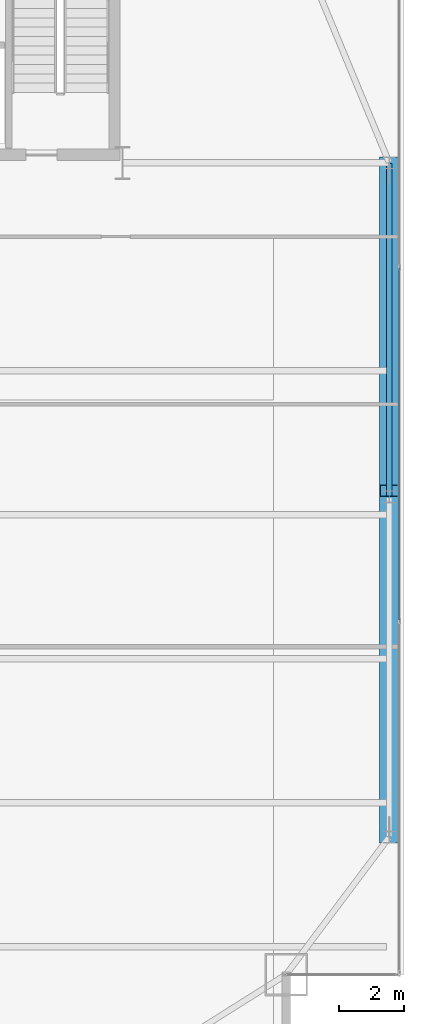
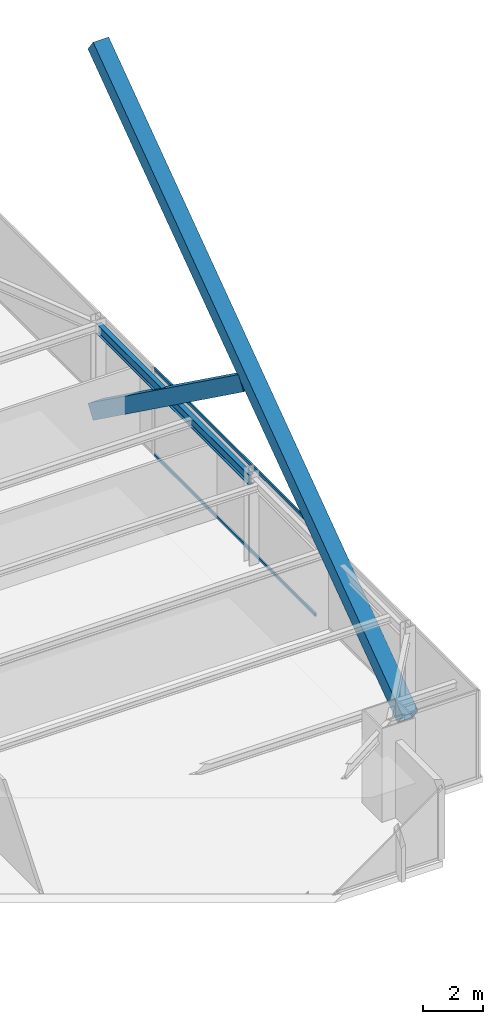
# One storey, part 19 of 34: 4 members, 1 beam, 1 element without a shape of its own.
"""IFC4 building model written with IfcOpenShell, lengths in metres."""

from ifc_helpers import new_model, si_unit, direction, frame, origin, origin_2d, place, context, subcontext, project, spatial, hollow_rectangle, i_section, extrude, source, transform, mapped, material, layer, layer_set, material_profile, profile_set, type_object, type_shapes, element, aggregate, save


model = new_model("IFC4")

# Units and contexts
model_context = context("Model", 3, precision=1e-05, world=origin(), true_north=direction((0.0, 1.0)))
body_context = subcontext(model_context, "Body", "Model", "MODEL_VIEW")
ifc_project = project(units=[si_unit("LENGTHUNIT", "METRE"), si_unit("AREAUNIT", "SQUARE_METRE"), si_unit("VOLUMEUNIT", "CUBIC_METRE"), si_unit("PLANEANGLEUNIT", "RADIAN"), si_unit("MASSUNIT", "GRAM", prefix="KILO")], contexts=[model_context])

# Site, building, storey
site_placement = place(None, origin())
site = spatial("IfcSite", under=ifc_project, at=site_placement, CompositionType="ELEMENT")
building_placement = place(site_placement, origin())
building = spatial("IfcBuilding", under=site, at=building_placement, Name="Varnel Quay Broadcast Tower", CompositionType="ELEMENT")
storey_placement = place(building_placement, frame((0.0, 0.0, 176.199951171875)))
storey = spatial("IfcBuildingStorey", under=building, at=storey_placement, Name="L43", CompositionType="ELEMENT", Elevation=176.199951171875)

# Beam
ifc_material_1 = material(Name="Structural Steel CSA G40.21 350W", Category="steel")
ifc_material_profile_1 = material_profile(ifc_material_1, i_section(OverallWidth=0.180908203125, OverallDepth=0.4169921875, WebThickness=0.010986328125, FlangeThickness=0.018310546875, FilletRadius=0.011962890625, at=origin_2d()), Name="W410X85")
ifc_profile_set_1 = profile_set([ifc_material_profile_1], Name="Structural Steel CSA G40.21 350W")
beam_type = type_object("IfcBeamType", Name="Beam_W410X85", PredefinedType="SPANDREL", material=ifc_profile_set_1)
shared_shape_1 = source(origin(), body_context, "Body", "SweptSolid", [
    extrude(i_section(OverallWidth=0.180908203125, OverallDepth=0.4169921875, WebThickness=0.010986328125, FlangeThickness=0.018310546875, FilletRadius=0.011962890625, at=origin_2d()), origin(), (0.0, 0.0, 1.0), 10.16015625),
])
type_shapes(beam_type, [shared_shape_1])
beam_placement = place(storey_placement, frame((60.550048828125, 25.419921875, 3.341552734375), z_axis=(0.0, 1.0, 0.0), x_axis=(-1.0, 0.0, 0.0)))
element("IfcBeam", 1, at=beam_placement, inside=storey, type_object=beam_type, Name="L43 East Spandrel TC-E2-TC-E3", PredefinedType="SPANDREL", context=body_context, shape_type="MappedRepresentation", body=[
    mapped(shared_shape_1, transform((0.0, 0.0, 0.0), x_axis=(1.0, 0.0, 0.0), y_axis=(0.0, 1.0, 0.0), z_axis=(0.0, 0.0, 1.0), scale=1.0)),
])

# Members
ifc_material_2 = material(Name="Structural Steel CSA G40.21 350WT", Category="steel")
ifc_material_profile_2 = material_profile(ifc_material_2, hollow_rectangle(XDim=0.60009765625, YDim=0.60009765625, WallThickness=0.028076171875, at=origin_2d()), Name="BOX600X600X28")
ifc_profile_set_2 = profile_set([ifc_material_profile_2], Name="Structural Steel CSA G40.21 350WT")
member_type_1 = type_object("IfcMemberType", Name="Brace_BOX600X600X28", PredefinedType="BRACE", material=ifc_profile_set_2)
shared_shape_2 = source(origin(), body_context, "Body", "SweptSolid", [
    extrude(hollow_rectangle(XDim=0.60009765625, YDim=0.60009765625, WallThickness=0.028076171875, at=origin_2d()), origin(), (0.0, 0.0, 1.0), 25.412353515625),
])
member_1_placement = place(storey_placement, frame((60.550048828125, 15.0, 0.02001953125), z_axis=(0.0, 0.810636666149, 0.585549481679), x_axis=(-1.0, 0.0, 0.0)))
element("IfcMember", 2, at=member_1_placement, inside=storey, type_object=member_type_1, Name="Zone 3 Mega-Brace E-FT3 Continuous Diag A", PredefinedType="BRACE", context=body_context, shape_type="MappedRepresentation", body=[
    mapped(shared_shape_2, transform((0.0, 0.0, 0.0), x_axis=(1.0, 0.0, 0.0), y_axis=(0.0, 1.0, 0.0), z_axis=(0.0, 0.0, 1.0), scale=1.0)),
])
shared_shape_3 = source(origin(), body_context, "Body", "SweptSolid", [
    extrude(hollow_rectangle(XDim=0.60009765625, YDim=0.60009765625, WallThickness=0.028076171875, at=origin_2d()), origin(), (0.0, 0.0, 1.0), 12.364990234375),
])
type_shapes(member_type_1, [shared_shape_2, shared_shape_3])
member_2_placement = place(storey_placement, frame((60.550048828125, 35.60009765625, 0.02001953125), z_axis=(0.0, -0.810644343917, 0.585538852405), x_axis=(1.0, 0.0, 0.0)))
element("IfcMember", 3, at=member_2_placement, inside=storey, type_object=member_type_1, Name="Zone 3 Mega-Brace E-FT3 Split Diag B1", PredefinedType="BRACE", context=body_context, shape_type="MappedRepresentation", body=[
    mapped(shared_shape_3, transform((0.0, 0.0, 0.0), x_axis=(1.0, 0.0, 0.0), y_axis=(0.0, 1.0, 0.0), z_axis=(0.0, 0.0, 1.0), scale=1.0)),
])

# Curtain wall, members
ifc_material_3 = material(Name="Anodised Bronze Aluminium 6063-T6", Category="aluminium")
ifc_layer = layer(ifc_material_3, 0.18994140625, Name="Anodised Bronze Aluminium 6063-T6")
ifc_layer_set = layer_set([ifc_layer], Name="Anodised Bronze Aluminium 6063-T6")
curtain_wall_type = type_object("IfcCurtainWallType", Name="CW_UpperTower", PredefinedType="NOTDEFINED", material=ifc_layer_set)
curtain_wall_placement = place(storey_placement, origin())
curtain_wall = element("IfcCurtainWall", 4, at=curtain_wall_placement, inside=storey, type_object=curtain_wall_type, Name="L43 East Unitised Curtain Wall", PredefinedType="NOTDEFINED")
ifc_material_profile_3 = material_profile(ifc_material_3, hollow_rectangle(XDim=0.06005859375, YDim=0.125, WallThickness=0.0029296875, at=origin_2d()), Name="ALU60X125X3")
ifc_profile_set_3 = profile_set([ifc_material_profile_3], Name="Anodised Bronze Aluminium 6063-T6")
member_type_2 = type_object("IfcMemberType", Name="Tran_CWS-03", PredefinedType="USERDEFINED", material=ifc_profile_set_3)
shared_shape_4 = source(origin(), body_context, "Body", "SweptSolid", [
    extrude(hollow_rectangle(XDim=0.06005859375, YDim=0.125, WallThickness=0.0029296875, at=origin_2d()), origin(), (0.0, 0.0, 1.0), 10.73486328125),
])
type_shapes(member_type_2, [shared_shape_4])
member_3_placement = place(storey_placement, frame((60.85009765625, 21.632568359375, 0.030029296875), z_axis=(0.0, 1.0, 0.0), x_axis=(-1.0, 0.0, 0.0)))
member_3 = element("IfcMember", 5, at=member_3_placement, type_object=member_type_2, Name="CWS-03 transom 2.1", ObjectType="TRANSOM", PredefinedType="USERDEFINED", context=body_context, shape_type="MappedRepresentation", body=[
    mapped(shared_shape_4, transform((0.0, 0.0, 0.0), x_axis=(1.0, 0.0, 0.0), y_axis=(0.0, 1.0, 0.0), z_axis=(0.0, 0.0, 1.0), scale=1.0)),
])
member_4_placement = place(storey_placement, frame((60.85009765625, 21.632568359375, 3.52001953125), z_axis=(0.0, 1.0, 0.0), x_axis=(-1.0, 0.0, 0.0)))
member_4 = element("IfcMember", 6, at=member_4_placement, type_object=member_type_2, Name="CWS-03 transom 2.2", ObjectType="TRANSOM", PredefinedType="USERDEFINED", context=body_context, shape_type="MappedRepresentation", body=[
    mapped(shared_shape_4, transform((0.0, 0.0, 0.0), x_axis=(1.0, 0.0, 0.0), y_axis=(0.0, 1.0, 0.0), z_axis=(0.0, 0.0, 1.0), scale=1.0)),
])
aggregate(curtain_wall, [member_3, member_4])

save(model, "model.ifc")
